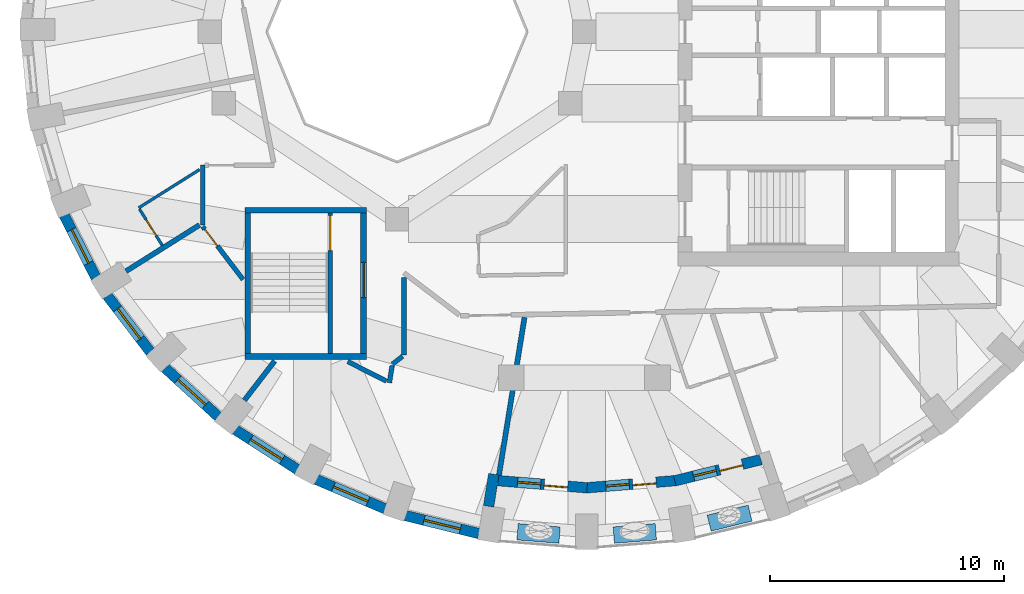
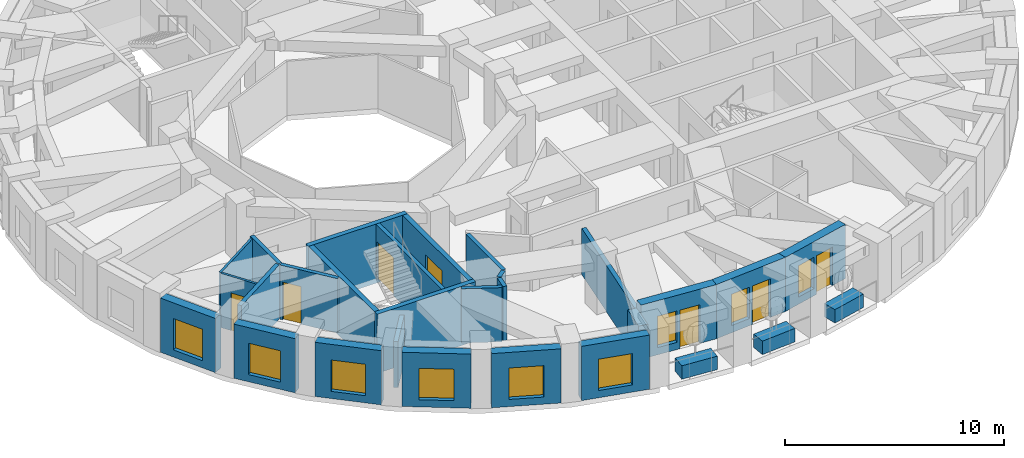
# One storey, part 3 of 11: 29 walls, 9 windows, 7 doors, 16 openings.
"""IFC4 building model written with IfcOpenShell, lengths in metres."""

from ifc_helpers import new_model, si_unit, direction, frame, frame_2d, origin, place, context, subcontext, project, spatial, rectangle, extrude, material, layer, layer_set, constituent, constituent_set, type_object, element, fill, save


model = new_model("IFC4")

# Units and contexts
model_context = context("Model", 3, precision=1e-05, world=origin(), true_north=direction((0.0, 1.0)))
body_context = subcontext(model_context, "Body", "Model", "MODEL_VIEW")
ifc_project = project(units=[si_unit("LENGTHUNIT", "METRE"), si_unit("AREAUNIT", "SQUARE_METRE"), si_unit("VOLUMEUNIT", "CUBIC_METRE"), si_unit("PLANEANGLEUNIT", "RADIAN"), si_unit("MASSUNIT", "GRAM", prefix="KILO")], contexts=[model_context])

# Site, building, storey
site_placement = place(None, origin())
site = spatial("IfcSite", under=ifc_project, at=site_placement, CompositionType="ELEMENT")
building_placement = place(site_placement, origin())
building = spatial("IfcBuilding", under=site, at=building_placement, Name="Taillehof Tower", CompositionType="ELEMENT")
storey_placement = place(building_placement, frame((0.0, 0.0, 155.0)))
storey = spatial("IfcBuildingStorey", under=building, at=storey_placement, Name="L43", CompositionType="ELEMENT", Elevation=155.0)

# Wall, opening, window
ifc_material_1 = material(Name="Brick masonry", Category="masonry")
ifc_layer_1 = layer(ifc_material_1, 0.449951171875)
ifc_layer_set_1 = layer_set([ifc_layer_1], Name="Brick infill wall 450")
wall_type_1 = type_object("IfcWallType", Name="Brick infill wall 450", PredefinedType="SOLIDWALL", material=ifc_layer_set_1)
wall_1_placement = place(storey_placement, frame((-22.21533203125, -7.8369140625, 0.0), z_axis=(0.0, 0.0, 1.0), x_axis=(0.454133999889, -0.890933392653, 0.0)))
wall_1 = element("IfcWall", 1, at=wall_1_placement, inside=storey, type_object=wall_type_1, Name="Brick wall L43 bay 21", PredefinedType="SOLIDWALL", context=body_context, shape_type="SweptSolid", body=[
    extrude(rectangle(XDim=2.98583984375, YDim=0.449951171875, at=frame_2d((1.492919921875, 0.0))), origin(), (0.0, 0.0, 1.0), 3.02001953125),
])
opening_1_placement = place(wall_1_placement, frame((0.69287109375, 0.0, 0.39990234375)))
opening_1 = element("IfcOpeningElement", 2, at=opening_1_placement, cuts=wall_1, Name="Opening W3", PredefinedType="OPENING", context=body_context, shape_type="SweptSolid", body=[
    extrude(rectangle(XDim=1.60009765625, YDim=1.75, at=frame_2d((0.800048828125, 0.875))), frame((0.0, 0.23486328125, 0.0), z_axis=(0.0, -1.0, 0.0), x_axis=(1.0, 0.0, 0.0)), (0.0, 0.0, 1.0), 0.469970703125),
])
ifc_material_2 = material(Name="Aluminium window frame with clear double glazing", Category="aluminium")
window_type_1 = type_object("IfcWindowType", Name="Deep-set window 1600x1750", PartitioningType="SINGLE_PANEL", PredefinedType="WINDOW", material=ifc_material_2)
window_1_placement = place(opening_1_placement, origin())
window_1 = element("IfcWindow", 3, at=window_1_placement, inside=storey, type_object=window_type_1, Name="W3", OverallHeight=1.75, OverallWidth=1.60009765625, PartitioningType="SINGLE_PANEL", PredefinedType="WINDOW", context=body_context, shape_type="SweptSolid", body=[
    extrude(rectangle(XDim=1.60009765625, YDim=1.75, at=frame_2d((0.800048828125, 0.875))), frame((0.0, 0.034912109375, 0.0), z_axis=(0.0, -1.0, 0.0), x_axis=(1.0, 0.0, 0.0)), (0.0, 0.0, 1.0), 0.06005859375),
])
fill(opening_1, window_1)

wall_2_placement = place(storey_placement, frame((-20.3740234375, -11.26708984375, 0.0), z_axis=(0.0, 0.0, 1.0), x_axis=(0.607817056371, -0.794077090706, 0.0)))
wall_2 = element("IfcWall", 4, at=wall_2_placement, inside=storey, type_object=wall_type_1, Name="Brick wall L43 bay 22", PredefinedType="SOLIDWALL", context=body_context, shape_type="SweptSolid", body=[
    extrude(rectangle(XDim=3.037109375, YDim=0.449951171875, at=frame_2d((1.5185546875, 0.0))), origin(), (0.0, 0.0, 1.0), 3.02001953125),
])
opening_2_placement = place(wall_2_placement, frame((0.718505859375, 0.0, 0.39990234375)))
opening_2 = element("IfcOpeningElement", 5, at=opening_2_placement, cuts=wall_2, Name="Opening W3", PredefinedType="OPENING", context=body_context, shape_type="SweptSolid", body=[
    extrude(rectangle(XDim=1.60009765625, YDim=1.75, at=frame_2d((0.800048828125, 0.875))), frame((0.0, 0.23486328125, 0.0), z_axis=(0.0, -1.0, 0.0), x_axis=(1.0, 0.0, 0.0)), (0.0, 0.0, 1.0), 0.469970703125),
])
window_2_placement = place(opening_2_placement, origin())
window_2 = element("IfcWindow", 6, at=window_2_placement, inside=storey, type_object=window_type_1, Name="W3", OverallHeight=1.75, OverallWidth=1.60009765625, PartitioningType="SINGLE_PANEL", PredefinedType="WINDOW", context=body_context, shape_type="SweptSolid", body=[
    extrude(rectangle(XDim=1.60009765625, YDim=1.75, at=frame_2d((0.800048828125, 0.875))), frame((0.0, 0.034912109375, 0.0), z_axis=(0.0, -1.0, 0.0), x_axis=(1.0, 0.0, 0.0)), (0.0, 0.0, 1.0), 0.06005859375),
])
fill(opening_2, window_2)

wall_3_placement = place(storey_placement, frame((-17.913330078125, -14.349853515625, 0.0), z_axis=(0.0, 0.0, 1.0), x_axis=(0.737808755941, -0.675009807082, 0.0)))
wall_3 = element("IfcWall", 7, at=wall_3_placement, inside=storey, type_object=wall_type_1, Name="Brick wall L43 bay 23", PredefinedType="SOLIDWALL", context=body_context, shape_type="SweptSolid", body=[
    extrude(rectangle(XDim=3.094482421875, YDim=0.449951171875, at=frame_2d((1.54736328125, 0.0))), origin(), (0.0, 0.0, 1.0), 3.02001953125),
])
opening_3_placement = place(wall_3_placement, frame((0.747314453125, 0.0, 0.39990234375)))
opening_3 = element("IfcOpeningElement", 8, at=opening_3_placement, cuts=wall_3, Name="Opening W3", PredefinedType="OPENING", context=body_context, shape_type="SweptSolid", body=[
    extrude(rectangle(XDim=1.60009765625, YDim=1.75, at=frame_2d((0.800048828125, 0.875))), frame((0.0, 0.23486328125, 0.0), z_axis=(0.0, -1.0, 0.0), x_axis=(1.0, 0.0, 0.0)), (0.0, 0.0, 1.0), 0.469970703125),
])
window_3_placement = place(opening_3_placement, origin())
window_3 = element("IfcWindow", 9, at=window_3_placement, inside=storey, type_object=window_type_1, Name="W3", OverallHeight=1.75, OverallWidth=1.60009765625, PartitioningType="SINGLE_PANEL", PredefinedType="WINDOW", context=body_context, shape_type="SweptSolid", body=[
    extrude(rectangle(XDim=1.60009765625, YDim=1.75, at=frame_2d((0.800048828125, 0.875))), frame((0.0, 0.034912109375, 0.0), z_axis=(0.0, -1.0, 0.0), x_axis=(1.0, 0.0, 0.0)), (0.0, 0.0, 1.0), 0.06005859375),
])
fill(opening_3, window_3)

wall_4_placement = place(storey_placement, frame((-14.908447265625, -16.993408203125, 0.0), z_axis=(0.0, 0.0, 1.0), x_axis=(0.842065914439, -0.539374633943, 0.0)))
wall_4 = element("IfcWall", 10, at=wall_4_placement, inside=storey, type_object=wall_type_1, Name="Brick wall L43 bay 24", PredefinedType="SOLIDWALL", context=body_context, shape_type="SweptSolid", body=[
    extrude(rectangle(XDim=3.1513671875, YDim=0.449951171875, at=frame_2d((1.57568359375, 0.0))), origin(), (0.0, 0.0, 1.0), 3.02001953125),
])
opening_4_placement = place(wall_4_placement, frame((0.775634765625, 0.0, 0.39990234375)))
opening_4 = element("IfcOpeningElement", 11, at=opening_4_placement, cuts=wall_4, Name="Opening W3", PredefinedType="OPENING", context=body_context, shape_type="SweptSolid", body=[
    extrude(rectangle(XDim=1.60009765625, YDim=1.75, at=frame_2d((0.800048828125, 0.875))), frame((0.0, 0.23486328125, 0.0), z_axis=(0.0, -1.0, 0.0), x_axis=(1.0, 0.0, 0.0)), (0.0, 0.0, 1.0), 0.469970703125),
])
window_4_placement = place(opening_4_placement, origin())
window_4 = element("IfcWindow", 12, at=window_4_placement, inside=storey, type_object=window_type_1, Name="W3", OverallHeight=1.75, OverallWidth=1.60009765625, PartitioningType="SINGLE_PANEL", PredefinedType="WINDOW", context=body_context, shape_type="SweptSolid", body=[
    extrude(rectangle(XDim=1.60009765625, YDim=1.75, at=frame_2d((0.800048828125, 0.875))), frame((0.0, 0.034912109375, 0.0), z_axis=(0.0, -1.0, 0.0), x_axis=(1.0, 0.0, 0.0)), (0.0, 0.0, 1.0), 0.06005859375),
])
fill(opening_4, window_4)

wall_5_placement = place(storey_placement, frame((-11.4501953125, -19.11865234375, 0.0), z_axis=(0.0, 0.0, 1.0), x_axis=(0.919798725687, -0.392390499663, 0.0)))
wall_5 = element("IfcWall", 13, at=wall_5_placement, inside=storey, type_object=wall_type_1, Name="Brick wall L43 bay 25", PredefinedType="SOLIDWALL", context=body_context, shape_type="SweptSolid", body=[
    extrude(rectangle(XDim=3.200439453125, YDim=0.449951171875, at=frame_2d((1.60009765625, 0.0))), origin(), (0.0, 0.0, 1.0), 3.02001953125),
])
opening_5_placement = place(wall_5_placement, frame((0.80029296875, 0.0, 0.39990234375)))
opening_5 = element("IfcOpeningElement", 14, at=opening_5_placement, cuts=wall_5, Name="Opening W3", PredefinedType="OPENING", context=body_context, shape_type="SweptSolid", body=[
    extrude(rectangle(XDim=1.60009765625, YDim=1.75, at=frame_2d((0.800048828125, 0.875))), frame((0.0, 0.23486328125, 0.0), z_axis=(0.0, -1.0, 0.0), x_axis=(1.0, 0.0, 0.0)), (0.0, 0.0, 1.0), 0.469970703125),
])
window_5_placement = place(opening_5_placement, origin())
window_5 = element("IfcWindow", 15, at=window_5_placement, inside=storey, type_object=window_type_1, Name="W3", OverallHeight=1.75, OverallWidth=1.60009765625, PartitioningType="SINGLE_PANEL", PredefinedType="WINDOW", context=body_context, shape_type="SweptSolid", body=[
    extrude(rectangle(XDim=1.60009765625, YDim=1.75, at=frame_2d((0.800048828125, 0.875))), frame((0.0, 0.034912109375, 0.0), z_axis=(0.0, -1.0, 0.0), x_axis=(1.0, 0.0, 0.0)), (0.0, 0.0, 1.0), 0.06005859375),
])
fill(opening_5, window_5)

wall_6_placement = place(storey_placement, frame((-7.642822265625, -20.662353515625, 0.0), z_axis=(0.0, 0.0, 1.0), x_axis=(0.971232901476, -0.238131583563, 0.0)))
wall_6 = element("IfcWall", 16, at=wall_6_placement, inside=storey, type_object=wall_type_1, Name="Brick wall L43 bay 26", PredefinedType="SOLIDWALL", context=body_context, shape_type="SweptSolid", body=[
    extrude(rectangle(XDim=3.236572265625, YDim=0.449951171875, at=frame_2d((1.6181640625, 0.0))), origin(), (0.0, 0.0, 1.0), 3.02001953125),
])
opening_6_placement = place(wall_6_placement, frame((0.818359375, 0.0, 0.39990234375)))
opening_6 = element("IfcOpeningElement", 17, at=opening_6_placement, cuts=wall_6, Name="Opening W3", PredefinedType="OPENING", context=body_context, shape_type="SweptSolid", body=[
    extrude(rectangle(XDim=1.60009765625, YDim=1.75, at=frame_2d((0.800048828125, 0.875))), frame((0.0, 0.23486328125, 0.0), z_axis=(0.0, -1.0, 0.0), x_axis=(1.0, 0.0, 0.0)), (0.0, 0.0, 1.0), 0.469970703125),
])
window_6_placement = place(opening_6_placement, origin())
window_6 = element("IfcWindow", 18, at=window_6_placement, inside=storey, type_object=window_type_1, Name="W3", OverallHeight=1.75, OverallWidth=1.60009765625, PartitioningType="SINGLE_PANEL", PredefinedType="WINDOW", context=body_context, shape_type="SweptSolid", body=[
    extrude(rectangle(XDim=1.60009765625, YDim=1.75, at=frame_2d((0.800048828125, 0.875))), frame((0.0, 0.034912109375, 0.0), z_axis=(0.0, -1.0, 0.0), x_axis=(1.0, 0.0, 0.0)), (0.0, 0.0, 1.0), 0.06005859375),
])
fill(opening_6, window_6)

# Wall
wall_7_placement = place(storey_placement, frame((-4.088134765625, -20.265869140625, 0.0), z_axis=(0.0, 0.0, 1.0), x_axis=(0.159641024018, 0.98717513312, 0.0)))
element("IfcWall", 19, at=wall_7_placement, inside=storey, type_object=wall_type_1, Name="Brick reveal L43 pocket 8", PredefinedType="SOLIDWALL", context=body_context, shape_type="SweptSolid", body=[
    extrude(rectangle(XDim=1.39013671875, YDim=0.449951171875, at=frame_2d((0.695068359375, 0.0))), origin(), (0.0, 0.0, 1.0), 2.570068359375),
])

# Wall, openings, door, window
wall_8_placement = place(storey_placement, frame((-3.68310546875, -19.170654296875, 0.0), z_axis=(0.0, 0.0, 1.0), x_axis=(0.996792437449, -0.080030223316, 0.0)))
wall_8 = element("IfcWall", 20, at=wall_8_placement, inside=storey, type_object=wall_type_1, Name="Brick wall L43 pocket bay 27", PredefinedType="SOLIDWALL", context=body_context, shape_type="SweptSolid", body=[
    extrude(rectangle(XDim=3.813232421875, YDim=0.449951171875, at=frame_2d((1.90673828125, 0.0))), origin(), (0.0, 0.0, 1.0), 3.02001953125),
])
opening_7_placement = place(wall_8_placement, frame((0.83154296875, 0.0, 0.39990234375)))
opening_7 = element("IfcOpeningElement", 21, at=opening_7_placement, cuts=wall_8, Name="Opening W5", PredefinedType="OPENING", context=body_context, shape_type="SweptSolid", body=[
    extrude(rectangle(XDim=1.0, YDim=1.75, at=frame_2d((0.5, 0.875))), frame((0.0, 0.23486328125, 0.0), z_axis=(0.0, -1.0, 0.0), x_axis=(1.0, 0.0, 0.0)), (0.0, 0.0, 1.0), 0.469970703125),
])
opening_8_placement = place(wall_8_placement, frame((1.981689453125, 0.0, 0.0)))
opening_8 = element("IfcOpeningElement", 22, at=opening_8_placement, cuts=wall_8, Name="Opening D4391", PredefinedType="OPENING", context=body_context, shape_type="SweptSolid", body=[
    extrude(rectangle(XDim=1.0, YDim=2.14990234375, at=frame_2d((0.5, 1.074951171875))), frame((0.0, 0.23486328125, 0.0), z_axis=(0.0, -1.0, 0.0), x_axis=(1.0, 0.0, 0.0)), (0.0, 0.0, 1.0), 0.469970703125),
])
ifc_material_3 = material(Name="Aluminium door frame with clear double glazing", Category="aluminium")
door_type_1 = type_object("IfcDoorType", Name="Balcony door 1000x2150", OperationType="SINGLE_SWING_RIGHT", PredefinedType="DOOR", material=ifc_material_3)
door_1_placement = place(opening_8_placement, frame((1.0, 0.0, 0.0), z_axis=(0.0, 0.0, 1.0), x_axis=(-1.0, 0.0, 0.0)))
door_1 = element("IfcDoor", 23, at=door_1_placement, inside=storey, type_object=door_type_1, Name="Balcony door L43 bay 27", OperationType="SINGLE_SWING_RIGHT", OverallHeight=2.14990234375, OverallWidth=1.0, PredefinedType="DOOR", context=body_context, shape_type="SweptSolid", body=[
    extrude(rectangle(XDim=1.0, YDim=2.14990234375, at=frame_2d((0.5, 1.074951171875))), frame((0.0, 0.0751953125, 0.0), z_axis=(0.0, -1.0, 0.0), x_axis=(1.0, 0.0, 0.0)), (0.0, 0.0, 1.0), 0.050048828125),
])
fill(opening_8, door_1)
ifc_material_4 = material(Name="Aluminium window frame with clear double glazing", Category="aluminium")
window_type_2 = type_object("IfcWindowType", Name="Fixed window 1000x1750", PartitioningType="SINGLE_PANEL", PredefinedType="WINDOW", material=ifc_material_4)
window_7_placement = place(opening_7_placement, origin())
window_7 = element("IfcWindow", 24, at=window_7_placement, inside=storey, type_object=window_type_2, Name="W5", OverallHeight=1.75, OverallWidth=1.0, PartitioningType="SINGLE_PANEL", PredefinedType="WINDOW", context=body_context, shape_type="SweptSolid", body=[
    extrude(rectangle(XDim=1.0, YDim=1.75, at=frame_2d((0.5, 0.875))), frame((0.0, 0.034912109375, 0.0), z_axis=(0.0, -1.0, 0.0), x_axis=(1.0, 0.0, 0.0)), (0.0, 0.0, 1.0), 0.06005859375),
])
fill(opening_7, window_7)

wall_9_placement = place(storey_placement, frame((0.08203125, -19.475830078125, 0.0), z_axis=(0.0, 0.0, 1.0), x_axis=(0.996792139022, 0.080033940204, 0.0)))
wall_9 = element("IfcWall", 25, at=wall_9_placement, inside=storey, type_object=wall_type_1, Name="Brick wall L43 pocket bay 28", PredefinedType="SOLIDWALL", context=body_context, shape_type="SweptSolid", body=[
    extrude(rectangle(XDim=3.831298828125, YDim=0.449951171875, at=frame_2d((1.91552734375, 0.0))), origin(), (0.0, 0.0, 1.0), 3.02001953125),
])
opening_9_placement = place(wall_9_placement, frame((0.840576171875, 0.0, 0.39990234375)))
opening_9 = element("IfcOpeningElement", 26, at=opening_9_placement, cuts=wall_9, Name="Opening W5", PredefinedType="OPENING", context=body_context, shape_type="SweptSolid", body=[
    extrude(rectangle(XDim=1.0, YDim=1.75, at=frame_2d((0.5, 0.875))), frame((0.0, 0.23486328125, 0.0), z_axis=(0.0, -1.0, 0.0), x_axis=(1.0, 0.0, 0.0)), (0.0, 0.0, 1.0), 0.469970703125),
])
opening_10_placement = place(wall_9_placement, frame((1.99072265625, 0.0, 0.0)))
opening_10 = element("IfcOpeningElement", 27, at=opening_10_placement, cuts=wall_9, Name="Opening D4392", PredefinedType="OPENING", context=body_context, shape_type="SweptSolid", body=[
    extrude(rectangle(XDim=1.0, YDim=2.14990234375, at=frame_2d((0.5, 1.074951171875))), frame((0.0, 0.23486328125, 0.0), z_axis=(0.0, -1.0, 0.0), x_axis=(1.0, 0.0, 0.0)), (0.0, 0.0, 1.0), 0.469970703125),
])
door_2_placement = place(opening_10_placement, frame((1.0, 0.0, 0.0), z_axis=(0.0, 0.0, 1.0), x_axis=(-1.0, 0.0, 0.0)))
door_2 = element("IfcDoor", 28, at=door_2_placement, inside=storey, type_object=door_type_1, Name="Balcony door L43 bay 28", OperationType="SINGLE_SWING_LEFT", OverallHeight=2.14990234375, OverallWidth=1.0, PredefinedType="DOOR", context=body_context, shape_type="SweptSolid", body=[
    extrude(rectangle(XDim=1.0, YDim=2.14990234375, at=frame_2d((0.5, 1.074951171875))), frame((0.0, 0.0751953125, 0.0), z_axis=(0.0, -1.0, 0.0), x_axis=(1.0, 0.0, 0.0)), (0.0, 0.0, 1.0), 0.050048828125),
])
fill(opening_10, door_2)
window_8_placement = place(opening_9_placement, origin())
window_8 = element("IfcWindow", 29, at=window_8_placement, inside=storey, type_object=window_type_2, Name="W5", OverallHeight=1.75, OverallWidth=1.0, PartitioningType="SINGLE_PANEL", PredefinedType="WINDOW", context=body_context, shape_type="SweptSolid", body=[
    extrude(rectangle(XDim=1.0, YDim=1.75, at=frame_2d((0.5, 0.875))), frame((0.0, 0.034912109375, 0.0), z_axis=(0.0, -1.0, 0.0), x_axis=(1.0, 0.0, 0.0)), (0.0, 0.0, 1.0), 0.06005859375),
])
fill(opening_9, window_8)

wall_10_placement = place(storey_placement, frame((3.865234375, -19.175048828125, 0.0), z_axis=(0.0, 0.0, 1.0), x_axis=(0.97109740077, 0.238683552465, 0.0)))
wall_10 = element("IfcWall", 30, at=wall_10_placement, inside=storey, type_object=wall_type_1, Name="Brick wall L43 pocket bay 29", PredefinedType="SOLIDWALL", context=body_context, shape_type="SweptSolid", body=[
    extrude(rectangle(XDim=3.789794921875, YDim=0.449951171875, at=frame_2d((1.89501953125, 0.0))), origin(), (0.0, 0.0, 1.0), 3.02001953125),
])
opening_11_placement = place(wall_10_placement, frame((0.81982421875, 0.0, 0.39990234375)))
opening_11 = element("IfcOpeningElement", 31, at=opening_11_placement, cuts=wall_10, Name="Opening W5", PredefinedType="OPENING", context=body_context, shape_type="SweptSolid", body=[
    extrude(rectangle(XDim=1.0, YDim=1.75, at=frame_2d((0.5, 0.875))), frame((0.0, 0.23486328125, 0.0), z_axis=(0.0, -1.0, 0.0), x_axis=(1.0, 0.0, 0.0)), (0.0, 0.0, 1.0), 0.469970703125),
])
opening_12_placement = place(wall_10_placement, frame((1.9697265625, 0.0, 0.0)))
opening_12 = element("IfcOpeningElement", 32, at=opening_12_placement, cuts=wall_10, Name="Opening D4393", PredefinedType="OPENING", context=body_context, shape_type="SweptSolid", body=[
    extrude(rectangle(XDim=1.0, YDim=2.14990234375, at=frame_2d((0.5, 1.074951171875))), frame((0.0, 0.23486328125, 0.0), z_axis=(0.0, -1.0, 0.0), x_axis=(1.0, 0.0, 0.0)), (0.0, 0.0, 1.0), 0.469970703125),
])
door_3_placement = place(opening_12_placement, frame((1.0, 0.0, 0.0), z_axis=(0.0, 0.0, 1.0), x_axis=(-1.0, 0.0, 0.0)))
door_3 = element("IfcDoor", 33, at=door_3_placement, inside=storey, type_object=door_type_1, Name="Balcony door L43 bay 29", OperationType="SINGLE_SWING_LEFT", OverallHeight=2.14990234375, OverallWidth=1.0, PredefinedType="DOOR", context=body_context, shape_type="SweptSolid", body=[
    extrude(rectangle(XDim=1.0, YDim=2.14990234375, at=frame_2d((0.5, 1.074951171875))), frame((0.0, 0.0751953125, 0.0), z_axis=(0.0, -1.0, 0.0), x_axis=(1.0, 0.0, 0.0)), (0.0, 0.0, 1.0), 0.050048828125),
])
fill(opening_12, door_3)
window_9_placement = place(opening_11_placement, origin())
window_9 = element("IfcWindow", 34, at=window_9_placement, inside=storey, type_object=window_type_2, Name="W5", OverallHeight=1.75, OverallWidth=1.0, PartitioningType="SINGLE_PANEL", PredefinedType="WINDOW", context=body_context, shape_type="SweptSolid", body=[
    extrude(rectangle(XDim=1.0, YDim=1.75, at=frame_2d((0.5, 0.875))), frame((0.0, 0.034912109375, 0.0), z_axis=(0.0, -1.0, 0.0), x_axis=(1.0, 0.0, 0.0)), (0.0, 0.0, 1.0), 0.06005859375),
])
fill(opening_11, window_9)

# Walls
ifc_material_5 = material(Name="Gypsum board on steel studs, two layers each side", Category="steel")
ifc_layer_2 = layer(ifc_material_5, 0.199951171875)
ifc_layer_set_2 = layer_set([ifc_layer_2], Name="Compartment wall corridor 200")
wall_type_2 = type_object("IfcWallType", Name="Compartment wall corridor 200", PredefinedType="PARTITIONING", material=ifc_layer_set_2)
wall_11_placement = place(storey_placement, frame((-7.699951171875, -10.501220703125, 0.0), z_axis=(0.0, 0.0, 1.0), x_axis=(0.0, -1.0, 0.0)))
element("IfcWall", 35, at=wall_11_placement, inside=storey, type_object=wall_type_2, Name="Compartment wall", PredefinedType="PARTITIONING", context=body_context, shape_type="SweptSolid", body=[
    extrude(rectangle(XDim=3.305908203125, YDim=0.199951171875, at=frame_2d((1.65283203125, 0.0))), origin(), (0.0, 0.0, 1.0), 3.02001953125),
])
wall_12_placement = place(storey_placement, frame((-7.762451171875, -13.85693359375, 0.0), z_axis=(0.0, 0.0, 1.0), x_axis=(-0.787561048704, -0.616236638447, 0.0)))
element("IfcWall", 36, at=wall_12_placement, inside=storey, type_object=wall_type_2, Name="Compartment wall", PredefinedType="PARTITIONING", context=body_context, shape_type="SweptSolid", body=[
    extrude(rectangle(XDim=0.551513671875, YDim=0.199951171875, at=frame_2d((0.27587890625, 0.0))), origin(), (0.0, 0.0, 1.0), 3.02001953125),
])
wall_13_placement = place(storey_placement, frame((-8.206298828125, -14.256103515625, 0.0), z_axis=(0.0, 0.0, 1.0), x_axis=(-0.159750207899, -0.987157470253, 0.0)))
element("IfcWall", 37, at=wall_13_placement, inside=storey, type_object=wall_type_2, Name="Compartment wall", PredefinedType="PARTITIONING", context=body_context, shape_type="SweptSolid", body=[
    extrude(rectangle(XDim=0.7412109375, YDim=0.199951171875, at=frame_2d((0.37060546875, 0.0))), origin(), (0.0, 0.0, 1.0), 3.02001953125),
])
wall_14_placement = place(storey_placement, frame((-8.449462890625, -14.924560546875, 0.0), z_axis=(0.0, 0.0, 1.0), x_axis=(-0.891172770552, 0.45366407509, 0.0)))
element("IfcWall", 38, at=wall_14_placement, inside=storey, type_object=wall_type_2, Name="Compartment wall", PredefinedType="PARTITIONING", context=body_context, shape_type="SweptSolid", body=[
    extrude(rectangle(XDim=1.85888671875, YDim=0.199951171875, at=frame_2d((0.929443359375, 0.0))), origin(), (0.0, 0.0, 1.0), 3.02001953125),
])

# Wall, opening, door
wall_15_placement = place(storey_placement, frame((-14.57373046875, -10.580078125, 0.0), z_axis=(0.0, 0.0, 1.0), x_axis=(-0.606733250298, 0.794905505694, 0.0)))
wall_15 = element("IfcWall", 39, at=wall_15_placement, inside=storey, type_object=wall_type_2, Name="Compartment wall", PredefinedType="PARTITIONING", context=body_context, shape_type="SweptSolid", body=[
    extrude(rectangle(XDim=2.84521484375, YDim=0.199951171875, at=frame_2d((1.422607421875, 0.0))), origin(), (0.0, 0.0, 1.0), 3.02001953125),
])
opening_13_placement = place(wall_15_placement, frame((1.80517578125, 0.0, 0.0)))
opening_13 = element("IfcOpeningElement", 40, at=opening_13_placement, cuts=wall_15, Name="Opening D4350", PredefinedType="OPENING", context=body_context, shape_type="SweptSolid", body=[
    extrude(rectangle(XDim=0.89990234375, YDim=2.10009765625, at=frame_2d((0.449951171875, 1.050048828125))), frame((0.0, 0.10986328125, 0.0), z_axis=(0.0, -1.0, 0.0), x_axis=(1.0, 0.0, 0.0)), (0.0, 0.0, 1.0), 0.219970703125),
])
ifc_material_6 = material(Name="Timber door leaf in steel frame", Category="steel")
door_type_2 = type_object("IfcDoorType", Name="Service room door EI 30 900 x 2100", OperationType="SINGLE_SWING_LEFT", PredefinedType="DOOR", material=ifc_material_6)
door_4_placement = place(opening_13_placement, origin())
door_4 = element("IfcDoor", 41, at=door_4_placement, inside=storey, type_object=door_type_2, Name="D4350", OperationType="SINGLE_SWING_RIGHT", OverallHeight=2.10009765625, OverallWidth=0.89990234375, PredefinedType="DOOR", context=body_context, shape_type="SweptSolid", body=[
    extrude(rectangle(XDim=0.89990234375, YDim=2.10009765625, at=frame_2d((0.449951171875, 1.050048828125))), frame((0.0, 0.02490234375, 0.0), z_axis=(0.0, -1.0, 0.0), x_axis=(1.0, 0.0, 0.0)), (0.0, 0.0, 1.0), 0.050048828125),
])
fill(opening_13, door_4)

# Walls
wall_16_placement = place(storey_placement, frame((-16.300048828125, -8.25830078125, 0.0), z_axis=(0.0, 0.0, 1.0), x_axis=(0.0, 1.0, 0.0)))
element("IfcWall", 42, at=wall_16_placement, inside=storey, type_object=wall_type_2, Name="Compartment wall", PredefinedType="PARTITIONING", context=body_context, shape_type="SweptSolid", body=[
    extrude(rectangle(XDim=2.558349609375, YDim=0.199951171875, at=frame_2d((1.279296875, 0.0))), origin(), (0.0, 0.0, 1.0), 3.02001953125),
])
ifc_material_7 = material(Name="Gypsum board on double steel studs with mineral wool", Category="steel")
ifc_layer_3 = layer(ifc_material_7, 0.219970703125)
ifc_layer_set_3 = layer_set([ifc_layer_3], Name="Compartment wall guest room 220")
wall_type_3 = type_object("IfcWallType", Name="Compartment wall guest room 220", PredefinedType="PARTITIONING", material=ifc_layer_set_3)
wall_17_placement = place(storey_placement, frame((-19.573486328125, -10.2255859375, 0.0), z_axis=(0.0, 0.0, 1.0), x_axis=(0.846352613514, 0.53262299387, 0.0)))
element("IfcWall", 43, at=wall_17_placement, inside=storey, type_object=wall_type_3, Name="Compartment wall", PredefinedType="PARTITIONING", context=body_context, shape_type="SweptSolid", body=[
    extrude(rectangle(XDim=3.709716796875, YDim=0.219970703125, at=frame_2d((1.85498046875, 0.0))), origin(), (0.0, 0.0, 1.0), 3.02001953125),
])
wall_18_placement = place(storey_placement, frame((-14.515869140625, -15.7373046875, 0.0), z_axis=(0.0, 0.0, 1.0), x_axis=(0.609983624648, 0.792414019097, 0.0)))
element("IfcWall", 44, at=wall_18_placement, inside=storey, type_object=wall_type_3, Name="Compartment wall", PredefinedType="PARTITIONING", context=body_context, shape_type="SweptSolid", body=[
    extrude(rectangle(XDim=2.118408203125, YDim=0.219970703125, at=frame_2d((1.05908203125, 0.0))), origin(), (0.0, 0.0, 1.0), 2.570068359375),
])
wall_19_placement = place(storey_placement, frame((-3.64697265625, -18.94775390625, 0.0), z_axis=(0.0, 0.0, 1.0), x_axis=(0.159718523375, 0.98716259719, 0.0)))
element("IfcWall", 45, at=wall_19_placement, inside=storey, type_object=wall_type_3, Name="Compartment wall", PredefinedType="PARTITIONING", context=body_context, shape_type="SweptSolid", body=[
    extrude(rectangle(XDim=6.83740234375, YDim=0.219970703125, at=frame_2d((3.418701171875, 0.0))), origin(), (0.0, 0.0, 1.0), 2.570068359375),
])
ifc_material_8 = material(Name="Gypsum board on steel studs, moisture resistant", Category="steel")
ifc_layer_4 = layer(ifc_material_8, 0.1201171875)
ifc_layer_set_4 = layer_set([ifc_layer_4], Name="En-suite wall 120")
wall_type_4 = type_object("IfcWallType", Name="En-suite wall 120", PredefinedType="PARTITIONING", material=ifc_layer_set_4)
wall_20_placement = place(storey_placement, frame((-16.433837890625, -5.88671875, 0.0), z_axis=(0.0, 0.0, 1.0), x_axis=(-0.846389599206, -0.532564218058, 0.0)))
element("IfcWall", 46, at=wall_20_placement, inside=storey, type_object=wall_type_4, Name="En-suite wall", PredefinedType="PARTITIONING", context=body_context, shape_type="SweptSolid", body=[
    extrude(rectangle(XDim=3.068115234375, YDim=0.1201171875, at=frame_2d((1.5341796875, 0.0))), origin(), (0.0, 0.0, 1.0), 3.02001953125),
])

# Wall, opening, door
wall_21_placement = place(storey_placement, frame((-18.99853515625, -7.5712890625, 0.0), z_axis=(0.0, 0.0, 1.0), x_axis=(0.532431076319, -0.84647335987, 0.0)))
wall_21 = element("IfcWall", 47, at=wall_21_placement, inside=storey, type_object=wall_type_4, Name="En-suite wall", PredefinedType="PARTITIONING", context=body_context, shape_type="SweptSolid", body=[
    extrude(rectangle(XDim=1.830078125, YDim=0.1201171875, at=frame_2d((0.9150390625, 0.0))), origin(), (0.0, 0.0, 1.0), 3.02001953125),
])
opening_14_placement = place(wall_21_placement, frame((0.5400390625, 0.0, 0.0)))
opening_14 = element("IfcOpeningElement", 48, at=opening_14_placement, cuts=wall_21, Name="Opening D4349", PredefinedType="OPENING", context=body_context, shape_type="SweptSolid", body=[
    extrude(rectangle(XDim=0.800048828125, YDim=2.10009765625, at=frame_2d((0.39990234375, 1.050048828125))), frame((0.0, 0.070068359375, 0.0), z_axis=(0.0, -1.0, 0.0), x_axis=(1.0, 0.0, 0.0)), (0.0, 0.0, 1.0), 0.14013671875),
])
ifc_material_9 = material(Name="Timber door leaf in steel frame", Category="steel")
door_type_3 = type_object("IfcDoorType", Name="En-suite door 800 x 2100", OperationType="SINGLE_SWING_LEFT", PredefinedType="DOOR", material=ifc_material_9)
door_5_placement = place(opening_14_placement, origin())
door_5 = element("IfcDoor", 49, at=door_5_placement, inside=storey, type_object=door_type_3, Name="D4349", OperationType="SINGLE_SWING_LEFT", OverallHeight=2.10009765625, OverallWidth=0.800048828125, PredefinedType="DOOR", context=body_context, shape_type="SweptSolid", body=[
    extrude(rectangle(XDim=0.800048828125, YDim=2.10009765625, at=frame_2d((0.39990234375, 1.050048828125))), frame((0.0, 0.02490234375, 0.0), z_axis=(0.0, -1.0, 0.0), x_axis=(1.0, 0.0, 0.0)), (0.0, 0.0, 1.0), 0.050048828125),
])
fill(opening_14, door_5)

# Walls
ifc_material_10 = material(Name="Concrete C30/37 precast", Category="concrete")
ifc_constituent_1 = constituent(ifc_material_10, Name="Structure", Category="concrete")
ifc_material_11 = material(Name="Insulated lining")
ifc_constituent_2 = constituent(ifc_material_11, Name="Lining")
ifc_constituent_set = constituent_set(constituents=[ifc_constituent_1, ifc_constituent_2], Name="Planter trough 700x750")
wall_type_5 = type_object("IfcWallType", Name="Planter trough 700x750", PredefinedType="USERDEFINED", material=ifc_constituent_set)
for number, where, z_axis, x_axis, name in (
    (50, (-2.852294921875, -21.35205078125, 0.0), (0.0, 0.0, 1.0), (0.996814415906, -0.07975600443, 0.0), "Planter L43 bay 27"),
    (51, (1.258056640625, -21.49560546875, 0.0), (0.0, 0.0, 1.0), (0.996814415906, 0.07975600443, 0.0), "Planter L43 bay 28"),
    (52, (5.329345703125, -20.985107421875, 0.0), (0.0, 0.0, 1.0), (0.971249321581, 0.238064603265, 0.0), "Planter L43 bay 29"),
):
    element("IfcWall", number, at=place(storey_placement, frame(where, z_axis=z_axis, x_axis=x_axis)), inside=storey, type_object=wall_type_5, Name=name, ObjectType="PLANTER", PredefinedType="USERDEFINED", context=body_context, shape_type="SweptSolid", body=[
        extrude(rectangle(XDim=1.7998046875, YDim=0.699951171875, at=frame_2d((0.89990234375, 0.0))), origin(), (0.0, 0.0, 1.0), 0.75),
    ])

# Wall, opening, door
ifc_material_12 = material(Name="Concrete C50/60", Category="concrete")
ifc_layer_5 = layer(ifc_material_12, 0.199951171875)
ifc_layer_set_5 = layer_set([ifc_layer_5], Name="Shaft wall C50/60 200")
wall_type_6 = type_object("IfcWallType", Name="Shaft wall C50/60 200", PredefinedType="SHEAR", material=ifc_layer_set_5)
wall_22_placement = place(storey_placement, frame((-10.85009765625, -13.75, 0.0), z_axis=(0.0, 0.0, 1.0), x_axis=(0.0, 1.0, 0.0)))
wall_22 = element("IfcWall", 53, at=wall_22_placement, inside=storey, type_object=wall_type_6, Name="Shaft wall SW", PredefinedType="SHEAR", context=body_context, shape_type="SweptSolid", body=[
    extrude(rectangle(XDim=6.0, YDim=0.199951171875, at=frame_2d((3.0, 0.0))), origin(), (0.0, 0.0, 1.0), 3.02001953125),
])
opening_15_placement = place(wall_22_placement, frame((4.39990234375, 0.0, 0.0)))
opening_15 = element("IfcOpeningElement", 54, at=opening_15_placement, cuts=wall_22, Name="Opening D4313", PredefinedType="OPENING", context=body_context, shape_type="SweptSolid", body=[
    extrude(rectangle(XDim=1.5, YDim=2.10009765625, at=frame_2d((0.75, 1.050048828125))), frame((0.0, 0.10986328125, 0.0), z_axis=(0.0, -1.0, 0.0), x_axis=(1.0, 0.0, 0.0)), (0.0, 0.0, 1.0), 0.219970703125),
])
ifc_material_13 = material(Name="Steel-faced fire door", Category="steel")
door_type_4 = type_object("IfcDoorType", Name="Stair door 1500x2100", OperationType="DOUBLE_DOOR_SINGLE_SWING", PredefinedType="DOOR", material=ifc_material_13)
door_6_placement = place(opening_15_placement, origin())
door_6 = element("IfcDoor", 55, at=door_6_placement, inside=storey, type_object=door_type_4, Name="Stair lobby door S4", OperationType="DOUBLE_DOOR_SINGLE_SWING", OverallHeight=2.10009765625, OverallWidth=1.5, PredefinedType="DOOR", context=body_context, shape_type="SweptSolid", body=[
    extrude(rectangle(XDim=1.5, YDim=2.10009765625, at=frame_2d((0.75, 1.050048828125))), frame((0.0, 0.02490234375, 0.0), z_axis=(0.0, -1.0, 0.0), x_axis=(1.0, 0.0, 0.0)), (0.0, 0.0, 1.0), 0.050048828125),
])
fill(opening_15, door_6)

# Wall
ifc_material_14 = material(Name="Concrete C50/60", Category="concrete")
ifc_layer_6 = layer(ifc_material_14, 0.25)
ifc_layer_set_6 = layer_set([ifc_layer_6], Name="Stair wall C50/60 250")
wall_type_7 = type_object("IfcWallType", Name="Stair wall C50/60 250", PredefinedType="SHEAR", material=ifc_layer_set_6)
wall_23_placement = place(storey_placement, frame((-14.375, -13.75, -0.280029296875), z_axis=(0.0, 0.0, 1.0), x_axis=(0.0, 1.0, 0.0)))
element("IfcWall", 56, at=wall_23_placement, inside=storey, type_object=wall_type_7, Name="Stair wall SC", PredefinedType="SHEAR", context=body_context, shape_type="SweptSolid", body=[
    extrude(rectangle(XDim=6.0, YDim=0.25, at=frame_2d((3.0, 0.0))), origin(), (0.0, 0.0, 1.0), 3.300048828125),
])

# Wall, opening, door
wall_24_placement = place(storey_placement, frame((-9.425048828125, -13.75, -0.280029296875), z_axis=(0.0, 0.0, 1.0), x_axis=(0.0, 1.0, 0.0)))
wall_24 = element("IfcWall", 57, at=wall_24_placement, inside=storey, type_object=wall_type_7, Name="Stair wall SC", PredefinedType="SHEAR", context=body_context, shape_type="SweptSolid", body=[
    extrude(rectangle(XDim=6.0, YDim=0.25, at=frame_2d((3.0, 0.0))), origin(), (0.0, 0.0, 1.0), 3.300048828125),
])
opening_16_placement = place(wall_24_placement, frame((2.39990234375, 0.0, 0.280029296875)))
opening_16 = element("IfcOpeningElement", 58, at=opening_16_placement, cuts=wall_24, Name="Opening D4316", PredefinedType="OPENING", context=body_context, shape_type="SweptSolid", body=[
    extrude(rectangle(XDim=1.5, YDim=2.10009765625, at=frame_2d((0.75, 1.050048828125))), frame((0.0, 0.135009765625, 0.0), z_axis=(0.0, -1.0, 0.0), x_axis=(1.0, 0.0, 0.0)), (0.0, 0.0, 1.0), 0.27001953125),
])
door_7_placement = place(opening_16_placement, origin())
door_7 = element("IfcDoor", 59, at=door_7_placement, inside=storey, type_object=door_type_4, Name="Stair door S4", OperationType="DOUBLE_DOOR_SINGLE_SWING", OverallHeight=2.10009765625, OverallWidth=1.5, PredefinedType="DOOR", context=body_context, shape_type="SweptSolid", body=[
    extrude(rectangle(XDim=1.5, YDim=2.10009765625, at=frame_2d((0.75, 1.050048828125))), frame((0.0, 0.02490234375, 0.0), z_axis=(0.0, -1.0, 0.0), x_axis=(1.0, 0.0, 0.0)), (0.0, 0.0, 1.0), 0.050048828125),
])
fill(opening_16, door_7)

# Walls
for number, where, z_axis, x_axis, name in (
    (60, (-14.5, -7.625, -0.280029296875), (0.0, 0.0, 1.0), (1.0, 0.0, 0.0), "Stair wall SC"),
    (61, (-14.5, -13.875, -0.280029296875), (0.0, 0.0, 1.0), (1.0, 0.0, 0.0), "Stair wall SC"),
):
    element("IfcWall", number, at=place(storey_placement, frame(where, z_axis=z_axis, x_axis=x_axis)), inside=storey, type_object=wall_type_7, Name=name, PredefinedType="SHEAR", context=body_context, shape_type="SweptSolid", body=[
        extrude(rectangle(XDim=5.199951171875, YDim=0.25, at=frame_2d((2.60009765625, 0.0))), origin(), (0.0, 0.0, 1.0), 3.300048828125),
    ])

save(model, "model.ifc")
